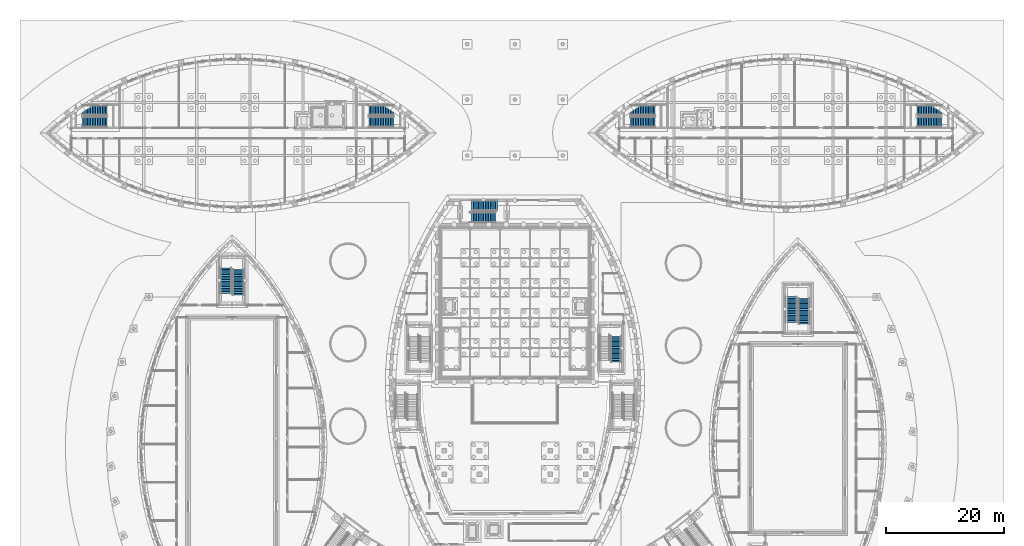
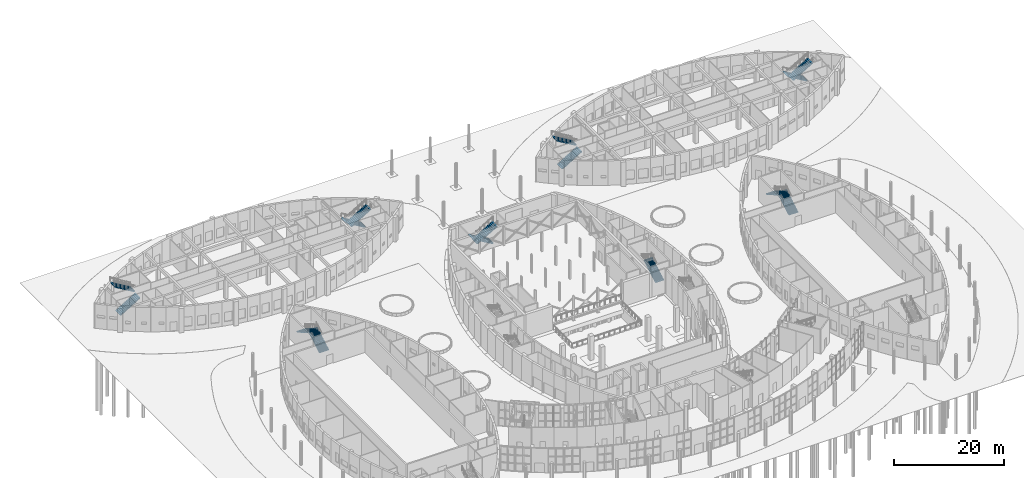
# One storey, part 70 of 82: 15 stair flights, 8 elements without a shape of their own.
"""IFC4 building model written with IfcOpenShell, lengths in metres."""

from ifc_helpers import new_model, si_unit, direction, frame, origin, place, context, subcontext, project, spatial, polyline, outline, extrude, material, type_object, element, aggregate, save


model = new_model("IFC4")

# Units and contexts
model_context = context("Model", 3, precision=1e-05, world=origin(), true_north=direction((0.0, 1.0)))
body_context = subcontext(model_context, "Body", "Model", "MODEL_VIEW")
ifc_project = project(units=[si_unit("LENGTHUNIT", "METRE"), si_unit("AREAUNIT", "SQUARE_METRE"), si_unit("VOLUMEUNIT", "CUBIC_METRE"), si_unit("PLANEANGLEUNIT", "RADIAN"), si_unit("MASSUNIT", "GRAM", prefix="KILO")], contexts=[model_context])

# Site, building, storey
site_placement = place(None, origin())
site = spatial("IfcSite", under=ifc_project, at=site_placement, CompositionType="ELEMENT")
building_placement = place(site_placement, origin())
building = spatial("IfcBuilding", under=site, at=building_placement, Name="Tide Square Theatres", CompositionType="ELEMENT")
storey_placement = place(building_placement, origin())
storey = spatial("IfcBuildingStorey", under=building, at=storey_placement, Name="L00", CompositionType="ELEMENT", Elevation=0.0)

# Stair, stair flights
ifc_material_1 = material(Name="Concrete C35", Category="concrete")
stair_type_1 = type_object("IfcStairType", Name="Stair half turn 1300 wide", PredefinedType="HALF_TURN_STAIR", material=ifc_material_1)
stair_1_placement = place(storey_placement, origin())
stair_1 = element("IfcStair", 1, at=stair_1_placement, inside=storey, type_object=stair_type_1, Name="L00 Scenery Workshops stair 1", PredefinedType="HALF_TURN_STAIR")
ifc_material_2 = material(Name="Concrete C35", Category="concrete")
stair_flight_type_1 = type_object("IfcStairFlightType", Name="Flight 1300 wide 16 risers", PredefinedType="STRAIGHT", material=ifc_material_2)
stair_flight_1_placement = place(storey_placement, frame((10.60009765625, 99.699951171875, 0.0), z_axis=(0.0, 0.0, 1.0), x_axis=(1.0, 0.0, 0.0)))
stair_flight_1 = element("IfcStairFlight", 2, at=stair_flight_1_placement, type_object=stair_flight_type_1, Name="WST-1 flight 1", NumberOfRisers=16, NumberOfTreads=15, PredefinedType="STRAIGHT", RiserHeight=0.16875, TreadLength=0.28, context=body_context, shape_type="SweptSolid", body=[
    extrude(outline(polyline([(0.0, 0.0), (0.0, 0.168701171875), (0.280029296875, 0.168701171875), (0.280029296875, 0.33740234375), (0.56005859375, 0.33740234375), (0.56005859375, 0.50634765625), (0.840087890625, 0.50634765625), (0.840087890625, 0.675048828125), (1.1201171875, 0.675048828125), (1.1201171875, 0.84375), (1.39990234375, 0.84375), (1.39990234375, 1.012451171875), (1.679931640625, 1.012451171875), (1.679931640625, 1.18115234375), (1.9599609375, 1.18115234375), (1.9599609375, 1.35009765625), (2.239990234375, 1.35009765625), (2.239990234375, 1.518798828125), (2.52001953125, 1.518798828125), (2.52001953125, 1.6875), (2.800048828125, 1.6875), (2.800048828125, 1.856201171875), (3.080078125, 1.856201171875), (3.080078125, 2.02490234375), (3.360107421875, 2.02490234375), (3.360107421875, 2.19384765625), (3.639892578125, 2.19384765625), (3.639892578125, 2.362548828125), (3.919921875, 2.362548828125), (3.919921875, 2.53125), (4.199951171875, 2.53125), (4.199951171875, 2.699951171875), (4.199951171875, 2.356201171875), (0.29052734375, 0.0), (0.0, 0.0)])), frame((0.0, 0.89990234375, 0.0), z_axis=(0.0, -1.0, 0.0), x_axis=(1.0, 0.0, 0.0)), (0.0, 0.0, 1.0), 1.800048828125),
])
stair_flight_2_placement = place(storey_placement, frame((14.800048828125, 101.64990234375, 2.699951171875), z_axis=(0.0, 0.0, 1.0), x_axis=(-1.0, 0.0, 0.0)))
stair_flight_2 = element("IfcStairFlight", 3, at=stair_flight_2_placement, type_object=stair_flight_type_1, Name="WST-1 flight 2", NumberOfRisers=16, NumberOfTreads=15, PredefinedType="STRAIGHT", RiserHeight=0.16875, TreadLength=0.28, context=body_context, shape_type="SweptSolid", body=[
    extrude(outline(polyline([(0.0, 0.0), (0.0, 0.168701171875), (0.280029296875, 0.168701171875), (0.280029296875, 0.33740234375), (0.56005859375, 0.33740234375), (0.56005859375, 0.50634765625), (0.840087890625, 0.50634765625), (0.840087890625, 0.675048828125), (1.1201171875, 0.675048828125), (1.1201171875, 0.84375), (1.39990234375, 0.84375), (1.39990234375, 1.012451171875), (1.679931640625, 1.012451171875), (1.679931640625, 1.18115234375), (1.9599609375, 1.18115234375), (1.9599609375, 1.35009765625), (2.239990234375, 1.35009765625), (2.239990234375, 1.518798828125), (2.52001953125, 1.518798828125), (2.52001953125, 1.6875), (2.800048828125, 1.6875), (2.800048828125, 1.856201171875), (3.080078125, 1.856201171875), (3.080078125, 2.02490234375), (3.360107421875, 2.02490234375), (3.360107421875, 2.19384765625), (3.639892578125, 2.19384765625), (3.639892578125, 2.362548828125), (3.919921875, 2.362548828125), (3.919921875, 2.53125), (4.199951171875, 2.53125), (4.199951171875, 2.699951171875), (4.199951171875, 2.356201171875), (0.29052734375, 0.0), (0.0, 0.0)])), frame((0.0, 0.89990234375, 0.0), z_axis=(0.0, -1.0, 0.0), x_axis=(1.0, 0.0, 0.0)), (0.0, 0.0, 1.0), 1.800048828125),
])
aggregate(stair_1, [stair_flight_1, stair_flight_2])

stair_2_placement = place(storey_placement, origin())
stair_2 = element("IfcStair", 4, at=stair_2_placement, inside=storey, type_object=stair_type_1, Name="L00 Scenery Workshops stair 2", PredefinedType="HALF_TURN_STAIR")
stair_flight_3_placement = place(storey_placement, frame((63.39990234375, 101.64990234375, 0.0), z_axis=(0.0, 0.0, 1.0), x_axis=(-1.0, 0.0, 0.0)))
stair_flight_3 = element("IfcStairFlight", 5, at=stair_flight_3_placement, type_object=stair_flight_type_1, Name="WST-2 flight 1", NumberOfRisers=16, NumberOfTreads=15, PredefinedType="STRAIGHT", RiserHeight=0.16875, TreadLength=0.28, context=body_context, shape_type="SweptSolid", body=[
    extrude(outline(polyline([(0.0, 0.0), (0.0, 0.168701171875), (0.280029296875, 0.168701171875), (0.280029296875, 0.33740234375), (0.56005859375, 0.33740234375), (0.56005859375, 0.50634765625), (0.840087890625, 0.50634765625), (0.840087890625, 0.675048828125), (1.1201171875, 0.675048828125), (1.1201171875, 0.84375), (1.39990234375, 0.84375), (1.39990234375, 1.012451171875), (1.679931640625, 1.012451171875), (1.679931640625, 1.18115234375), (1.9599609375, 1.18115234375), (1.9599609375, 1.35009765625), (2.239990234375, 1.35009765625), (2.239990234375, 1.518798828125), (2.52001953125, 1.518798828125), (2.52001953125, 1.6875), (2.800048828125, 1.6875), (2.800048828125, 1.856201171875), (3.080078125, 1.856201171875), (3.080078125, 2.02490234375), (3.360107421875, 2.02490234375), (3.360107421875, 2.19384765625), (3.639892578125, 2.19384765625), (3.639892578125, 2.362548828125), (3.919921875, 2.362548828125), (3.919921875, 2.53125), (4.199951171875, 2.53125), (4.199951171875, 2.699951171875), (4.199951171875, 2.356201171875), (0.29052734375, 0.0), (0.0, 0.0)])), frame((0.0, 0.89990234375, 0.0), z_axis=(0.0, -1.0, 0.0), x_axis=(1.0, 0.0, 0.0)), (0.0, 0.0, 1.0), 1.800048828125),
])
stair_flight_4_placement = place(storey_placement, frame((59.199951171875, 99.699951171875, 2.699951171875), z_axis=(0.0, 0.0, 1.0), x_axis=(1.0, 0.0, 0.0)))
stair_flight_4 = element("IfcStairFlight", 6, at=stair_flight_4_placement, type_object=stair_flight_type_1, Name="WST-2 flight 2", NumberOfRisers=16, NumberOfTreads=15, PredefinedType="STRAIGHT", RiserHeight=0.16875, TreadLength=0.28, context=body_context, shape_type="SweptSolid", body=[
    extrude(outline(polyline([(0.0, 0.0), (0.0, 0.168701171875), (0.280029296875, 0.168701171875), (0.280029296875, 0.33740234375), (0.56005859375, 0.33740234375), (0.56005859375, 0.50634765625), (0.840087890625, 0.50634765625), (0.840087890625, 0.675048828125), (1.1201171875, 0.675048828125), (1.1201171875, 0.84375), (1.39990234375, 0.84375), (1.39990234375, 1.012451171875), (1.679931640625, 1.012451171875), (1.679931640625, 1.18115234375), (1.9599609375, 1.18115234375), (1.9599609375, 1.35009765625), (2.239990234375, 1.35009765625), (2.239990234375, 1.518798828125), (2.52001953125, 1.518798828125), (2.52001953125, 1.6875), (2.800048828125, 1.6875), (2.800048828125, 1.856201171875), (3.080078125, 1.856201171875), (3.080078125, 2.02490234375), (3.360107421875, 2.02490234375), (3.360107421875, 2.19384765625), (3.639892578125, 2.19384765625), (3.639892578125, 2.362548828125), (3.919921875, 2.362548828125), (3.919921875, 2.53125), (4.199951171875, 2.53125), (4.199951171875, 2.699951171875), (4.199951171875, 2.356201171875), (0.29052734375, 0.0), (0.0, 0.0)])), frame((0.0, 0.89990234375, 0.0), z_axis=(0.0, -1.0, 0.0), x_axis=(1.0, 0.0, 0.0)), (0.0, 0.0, 1.0), 1.800048828125),
])
aggregate(stair_2, [stair_flight_3, stair_flight_4])

stair_3_placement = place(storey_placement, origin())
stair_3 = element("IfcStair", 7, at=stair_3_placement, inside=storey, type_object=stair_type_1, Name="L00 Rehearsal Block stair 1", PredefinedType="HALF_TURN_STAIR")
stair_flight_5_placement = place(storey_placement, frame((103.60009765625, 99.699951171875, 0.0), z_axis=(0.0, 0.0, 1.0), x_axis=(1.0, 0.0, 0.0)))
stair_flight_5 = element("IfcStairFlight", 8, at=stair_flight_5_placement, type_object=stair_flight_type_1, Name="RST-1 flight 1", NumberOfRisers=16, NumberOfTreads=15, PredefinedType="STRAIGHT", RiserHeight=0.16875, TreadLength=0.28, context=body_context, shape_type="SweptSolid", body=[
    extrude(outline(polyline([(0.0, 0.0), (0.0, 0.168701171875), (0.280029296875, 0.168701171875), (0.280029296875, 0.33740234375), (0.56005859375, 0.33740234375), (0.56005859375, 0.50634765625), (0.840087890625, 0.50634765625), (0.840087890625, 0.675048828125), (1.1201171875, 0.675048828125), (1.1201171875, 0.84375), (1.39990234375, 0.84375), (1.39990234375, 1.012451171875), (1.679931640625, 1.012451171875), (1.679931640625, 1.18115234375), (1.9599609375, 1.18115234375), (1.9599609375, 1.35009765625), (2.239990234375, 1.35009765625), (2.239990234375, 1.518798828125), (2.52001953125, 1.518798828125), (2.52001953125, 1.6875), (2.800048828125, 1.6875), (2.800048828125, 1.856201171875), (3.080078125, 1.856201171875), (3.080078125, 2.02490234375), (3.360107421875, 2.02490234375), (3.360107421875, 2.19384765625), (3.639892578125, 2.19384765625), (3.639892578125, 2.362548828125), (3.919921875, 2.362548828125), (3.919921875, 2.53125), (4.199951171875, 2.53125), (4.199951171875, 2.699951171875), (4.199951171875, 2.356201171875), (0.29052734375, 0.0), (0.0, 0.0)])), frame((0.0, 0.89990234375, 0.0), z_axis=(0.0, -1.0, 0.0), x_axis=(1.0, 0.0, 0.0)), (0.0, 0.0, 1.0), 1.800048828125),
])
stair_flight_6_placement = place(storey_placement, frame((107.800048828125, 101.64990234375, 2.699951171875), z_axis=(0.0, 0.0, 1.0), x_axis=(-1.0, 0.0, 0.0)))
stair_flight_6 = element("IfcStairFlight", 9, at=stair_flight_6_placement, type_object=stair_flight_type_1, Name="RST-1 flight 2", NumberOfRisers=16, NumberOfTreads=15, PredefinedType="STRAIGHT", RiserHeight=0.16875, TreadLength=0.28, context=body_context, shape_type="SweptSolid", body=[
    extrude(outline(polyline([(0.0, 0.0), (0.0, 0.168701171875), (0.280029296875, 0.168701171875), (0.280029296875, 0.33740234375), (0.56005859375, 0.33740234375), (0.56005859375, 0.50634765625), (0.840087890625, 0.50634765625), (0.840087890625, 0.675048828125), (1.1201171875, 0.675048828125), (1.1201171875, 0.84375), (1.39990234375, 0.84375), (1.39990234375, 1.012451171875), (1.679931640625, 1.012451171875), (1.679931640625, 1.18115234375), (1.9599609375, 1.18115234375), (1.9599609375, 1.35009765625), (2.239990234375, 1.35009765625), (2.239990234375, 1.518798828125), (2.52001953125, 1.518798828125), (2.52001953125, 1.6875), (2.800048828125, 1.6875), (2.800048828125, 1.856201171875), (3.080078125, 1.856201171875), (3.080078125, 2.02490234375), (3.360107421875, 2.02490234375), (3.360107421875, 2.19384765625), (3.639892578125, 2.19384765625), (3.639892578125, 2.362548828125), (3.919921875, 2.362548828125), (3.919921875, 2.53125), (4.199951171875, 2.53125), (4.199951171875, 2.699951171875), (4.199951171875, 2.356201171875), (0.29052734375, 0.0), (0.0, 0.0)])), frame((0.0, 0.89990234375, 0.0), z_axis=(0.0, -1.0, 0.0), x_axis=(1.0, 0.0, 0.0)), (0.0, 0.0, 1.0), 1.800048828125),
])
aggregate(stair_3, [stair_flight_5, stair_flight_6])

stair_4_placement = place(storey_placement, origin())
stair_4 = element("IfcStair", 10, at=stair_4_placement, inside=storey, type_object=stair_type_1, Name="L00 Rehearsal Block stair 2", PredefinedType="HALF_TURN_STAIR")
stair_flight_7_placement = place(storey_placement, frame((156.39990234375, 101.64990234375, 0.0), z_axis=(0.0, 0.0, 1.0), x_axis=(-1.0, 0.0, 0.0)))
stair_flight_7 = element("IfcStairFlight", 11, at=stair_flight_7_placement, type_object=stair_flight_type_1, Name="RST-2 flight 1", NumberOfRisers=16, NumberOfTreads=15, PredefinedType="STRAIGHT", RiserHeight=0.16875, TreadLength=0.28, context=body_context, shape_type="SweptSolid", body=[
    extrude(outline(polyline([(0.0, 0.0), (0.0, 0.168701171875), (0.280029296875, 0.168701171875), (0.280029296875, 0.33740234375), (0.56005859375, 0.33740234375), (0.56005859375, 0.50634765625), (0.840087890625, 0.50634765625), (0.840087890625, 0.675048828125), (1.1201171875, 0.675048828125), (1.1201171875, 0.84375), (1.39990234375, 0.84375), (1.39990234375, 1.012451171875), (1.679931640625, 1.012451171875), (1.679931640625, 1.18115234375), (1.9599609375, 1.18115234375), (1.9599609375, 1.35009765625), (2.239990234375, 1.35009765625), (2.239990234375, 1.518798828125), (2.52001953125, 1.518798828125), (2.52001953125, 1.6875), (2.800048828125, 1.6875), (2.800048828125, 1.856201171875), (3.080078125, 1.856201171875), (3.080078125, 2.02490234375), (3.360107421875, 2.02490234375), (3.360107421875, 2.19384765625), (3.639892578125, 2.19384765625), (3.639892578125, 2.362548828125), (3.919921875, 2.362548828125), (3.919921875, 2.53125), (4.199951171875, 2.53125), (4.199951171875, 2.699951171875), (4.199951171875, 2.356201171875), (0.29052734375, 0.0), (0.0, 0.0)])), frame((0.0, 0.89990234375, 0.0), z_axis=(0.0, -1.0, 0.0), x_axis=(1.0, 0.0, 0.0)), (0.0, 0.0, 1.0), 1.800048828125),
])
stair_flight_8_placement = place(storey_placement, frame((152.199951171875, 99.699951171875, 2.699951171875), z_axis=(0.0, 0.0, 1.0), x_axis=(1.0, 0.0, 0.0)))
stair_flight_8 = element("IfcStairFlight", 12, at=stair_flight_8_placement, type_object=stair_flight_type_1, Name="RST-2 flight 2", NumberOfRisers=16, NumberOfTreads=15, PredefinedType="STRAIGHT", RiserHeight=0.16875, TreadLength=0.28, context=body_context, shape_type="SweptSolid", body=[
    extrude(outline(polyline([(0.0, 0.0), (0.0, 0.168701171875), (0.280029296875, 0.168701171875), (0.280029296875, 0.33740234375), (0.56005859375, 0.33740234375), (0.56005859375, 0.50634765625), (0.840087890625, 0.50634765625), (0.840087890625, 0.675048828125), (1.1201171875, 0.675048828125), (1.1201171875, 0.84375), (1.39990234375, 0.84375), (1.39990234375, 1.012451171875), (1.679931640625, 1.012451171875), (1.679931640625, 1.18115234375), (1.9599609375, 1.18115234375), (1.9599609375, 1.35009765625), (2.239990234375, 1.35009765625), (2.239990234375, 1.518798828125), (2.52001953125, 1.518798828125), (2.52001953125, 1.6875), (2.800048828125, 1.6875), (2.800048828125, 1.856201171875), (3.080078125, 1.856201171875), (3.080078125, 2.02490234375), (3.360107421875, 2.02490234375), (3.360107421875, 2.19384765625), (3.639892578125, 2.19384765625), (3.639892578125, 2.362548828125), (3.919921875, 2.362548828125), (3.919921875, 2.53125), (4.199951171875, 2.53125), (4.199951171875, 2.699951171875), (4.199951171875, 2.356201171875), (0.29052734375, 0.0), (0.0, 0.0)])), frame((0.0, 0.89990234375, 0.0), z_axis=(0.0, -1.0, 0.0), x_axis=(1.0, 0.0, 0.0)), (0.0, 0.0, 1.0), 1.800048828125),
])
aggregate(stair_4, [stair_flight_7, stair_flight_8])

# Stair, stair flight
ifc_material_3 = material(Name="Concrete C35", Category="concrete")
stair_type_2 = type_object("IfcStairType", Name="Stair half turn 1800 wide, 32 risers, rise 5400", PredefinedType="HALF_TURN_STAIR", material=ifc_material_3)
stair_5_placement = place(storey_placement, origin())
stair_5 = element("IfcStair", 13, at=stair_5_placement, inside=storey, type_object=stair_type_2, Name="Main Theatre East Stair", PredefinedType="HALF_TURN_STAIR")
ifc_material_4 = material(Name="Concrete C35", Category="concrete")
stair_flight_type_2 = type_object("IfcStairFlightType", Name="Flight 1800 wide 16 risers rise 5400", PredefinedType="STRAIGHT", material=ifc_material_4)
stair_flight_9_placement = place(storey_placement, frame((101.199951171875, 58.949951171875, 0.0), z_axis=(0.0, 0.0, 1.0), x_axis=(0.0, 1.0, 0.0)))
stair_flight_9 = element("IfcStairFlight", 14, at=stair_flight_9_placement, type_object=stair_flight_type_2, Name="ST-1800-5400 flight 1", NumberOfRisers=16, NumberOfTreads=15, PredefinedType="STRAIGHT", RiserHeight=0.16875, TreadLength=0.29, context=body_context, shape_type="SweptSolid", body=[
    extrude(outline(polyline([(0.0, 0.0), (0.0, 0.168701171875), (0.2900390625, 0.168701171875), (0.2900390625, 0.33740234375), (0.580078125, 0.33740234375), (0.580078125, 0.50634765625), (0.8701171875, 0.50634765625), (0.8701171875, 0.675048828125), (1.159912109375, 0.675048828125), (1.159912109375, 0.84375), (1.449951171875, 0.84375), (1.449951171875, 1.012451171875), (1.739990234375, 1.012451171875), (1.739990234375, 1.18115234375), (2.030029296875, 1.18115234375), (2.030029296875, 1.35009765625), (2.320068359375, 1.35009765625), (2.320068359375, 1.518798828125), (2.610107421875, 1.518798828125), (2.610107421875, 1.6875), (2.89990234375, 1.6875), (2.89990234375, 1.856201171875), (3.18994140625, 1.856201171875), (3.18994140625, 2.02490234375), (3.47998046875, 2.02490234375), (3.47998046875, 2.19384765625), (3.77001953125, 2.19384765625), (3.77001953125, 2.362548828125), (4.06005859375, 2.362548828125), (4.06005859375, 2.53125), (4.35009765625, 2.53125), (4.35009765625, 2.699951171875), (4.35009765625, 2.35791015625), (0.298095703125, 0.0), (0.0, 0.0)])), frame((0.0, 0.89990234375, 0.0), z_axis=(0.0, -1.0, 0.0), x_axis=(1.0, 0.0, 0.0)), (0.0, 0.0, 1.0), 1.800048828125),
])
aggregate(stair_5, [stair_flight_9])

# Stair, stair flights
stair_6_placement = place(storey_placement, origin())
stair_6 = element("IfcStair", 15, at=stair_6_placement, inside=storey, type_object=stair_type_2, Name="Main Theatre North Stair", PredefinedType="HALF_TURN_STAIR")
stair_flight_10_placement = place(storey_placement, frame((81.0, 85.5, 0.0), z_axis=(0.0, 0.0, 1.0), x_axis=(-1.0, 0.0, 0.0)))
stair_flight_10 = element("IfcStairFlight", 16, at=stair_flight_10_placement, type_object=stair_flight_type_2, Name="ST-1800-5400 flight 1", NumberOfRisers=16, NumberOfTreads=15, PredefinedType="STRAIGHT", RiserHeight=0.16875, TreadLength=0.29, context=body_context, shape_type="SweptSolid", body=[
    extrude(outline(polyline([(0.0, 0.0), (0.0, 0.168701171875), (0.2900390625, 0.168701171875), (0.2900390625, 0.33740234375), (0.580078125, 0.33740234375), (0.580078125, 0.50634765625), (0.8701171875, 0.50634765625), (0.8701171875, 0.675048828125), (1.159912109375, 0.675048828125), (1.159912109375, 0.84375), (1.449951171875, 0.84375), (1.449951171875, 1.012451171875), (1.739990234375, 1.012451171875), (1.739990234375, 1.18115234375), (2.030029296875, 1.18115234375), (2.030029296875, 1.35009765625), (2.320068359375, 1.35009765625), (2.320068359375, 1.518798828125), (2.610107421875, 1.518798828125), (2.610107421875, 1.6875), (2.89990234375, 1.6875), (2.89990234375, 1.856201171875), (3.18994140625, 1.856201171875), (3.18994140625, 2.02490234375), (3.47998046875, 2.02490234375), (3.47998046875, 2.19384765625), (3.77001953125, 2.19384765625), (3.77001953125, 2.362548828125), (4.06005859375, 2.362548828125), (4.06005859375, 2.53125), (4.35009765625, 2.53125), (4.35009765625, 2.699951171875), (4.35009765625, 2.35791015625), (0.298095703125, 0.0), (0.0, 0.0)])), frame((0.0, 0.89990234375, 0.0), z_axis=(0.0, -1.0, 0.0), x_axis=(1.0, 0.0, 0.0)), (0.0, 0.0, 1.0), 1.800048828125),
])
stair_flight_11_placement = place(storey_placement, frame((76.351806640625, 83.5, 2.699951171875), z_axis=(0.0, 0.0, 1.0), x_axis=(1.0, 0.0, 0.0)))
stair_flight_11 = element("IfcStairFlight", 17, at=stair_flight_11_placement, type_object=stair_flight_type_2, Name="ST-1800-5400 flight 2", NumberOfRisers=16, NumberOfTreads=15, PredefinedType="STRAIGHT", RiserHeight=0.16875, TreadLength=0.29, context=body_context, shape_type="SweptSolid", body=[
    extrude(outline(polyline([(0.0, 0.0), (0.0, 0.168701171875), (0.2900390625, 0.168701171875), (0.2900390625, 0.33740234375), (0.580078125, 0.33740234375), (0.580078125, 0.50634765625), (0.8701171875, 0.50634765625), (0.8701171875, 0.675048828125), (1.159912109375, 0.675048828125), (1.159912109375, 0.84375), (1.449951171875, 0.84375), (1.449951171875, 1.012451171875), (1.739990234375, 1.012451171875), (1.739990234375, 1.18115234375), (2.030029296875, 1.18115234375), (2.030029296875, 1.35009765625), (2.320068359375, 1.35009765625), (2.320068359375, 1.518798828125), (2.610107421875, 1.518798828125), (2.610107421875, 1.6875), (2.89990234375, 1.6875), (2.89990234375, 1.856201171875), (3.18994140625, 1.856201171875), (3.18994140625, 2.02490234375), (3.47998046875, 2.02490234375), (3.47998046875, 2.19384765625), (3.77001953125, 2.19384765625), (3.77001953125, 2.362548828125), (4.06005859375, 2.362548828125), (4.06005859375, 2.53125), (4.35009765625, 2.53125), (4.35009765625, 2.699951171875), (4.35009765625, 2.35791015625), (0.298095703125, 0.0), (0.0, 0.0)])), frame((0.0, 0.89990234375, 0.0), z_axis=(0.0, -1.0, 0.0), x_axis=(1.0, 0.0, 0.0)), (0.0, 0.0, 1.0), 1.800048828125),
])
aggregate(stair_6, [stair_flight_10, stair_flight_11])

ifc_material_5 = material(Name="Concrete C35", Category="concrete")
stair_type_3 = type_object("IfcStairType", Name="Stair half turn 2000 wide, 32 risers, rise 5400", PredefinedType="HALF_TURN_STAIR", material=ifc_material_5)
stair_7_placement = place(storey_placement, origin())
stair_7 = element("IfcStair", 18, at=stair_7_placement, inside=storey, type_object=stair_type_3, Name="Studio Theatre Stair S1", PredefinedType="HALF_TURN_STAIR")
ifc_material_6 = material(Name="Concrete C35", Category="concrete")
stair_flight_type_3 = type_object("IfcStairFlightType", Name="Flight 2000 wide 16 risers rise 5400", PredefinedType="STRAIGHT", material=ifc_material_6)
stair_flight_12_placement = place(storey_placement, frame((37.10009765625, 70.300048828125, 0.0), z_axis=(0.0, 0.0, 1.0), x_axis=(0.0, 1.0, 0.0)))
stair_flight_12 = element("IfcStairFlight", 19, at=stair_flight_12_placement, type_object=stair_flight_type_3, Name="ST-2000-5400 flight 1", NumberOfRisers=16, NumberOfTreads=15, PredefinedType="STRAIGHT", RiserHeight=0.16875, TreadLength=0.29, context=body_context, shape_type="SweptSolid", body=[
    extrude(outline(polyline([(0.0, 0.0), (0.0, 0.168701171875), (0.2900390625, 0.168701171875), (0.2900390625, 0.33740234375), (0.580078125, 0.33740234375), (0.580078125, 0.50634765625), (0.8701171875, 0.50634765625), (0.8701171875, 0.675048828125), (1.159912109375, 0.675048828125), (1.159912109375, 0.84375), (1.449951171875, 0.84375), (1.449951171875, 1.012451171875), (1.739990234375, 1.012451171875), (1.739990234375, 1.18115234375), (2.030029296875, 1.18115234375), (2.030029296875, 1.35009765625), (2.320068359375, 1.35009765625), (2.320068359375, 1.518798828125), (2.610107421875, 1.518798828125), (2.610107421875, 1.6875), (2.89990234375, 1.6875), (2.89990234375, 1.856201171875), (3.18994140625, 1.856201171875), (3.18994140625, 2.02490234375), (3.47998046875, 2.02490234375), (3.47998046875, 2.19384765625), (3.77001953125, 2.19384765625), (3.77001953125, 2.362548828125), (4.06005859375, 2.362548828125), (4.06005859375, 2.53125), (4.35009765625, 2.53125), (4.35009765625, 2.699951171875), (4.35009765625, 2.35791015625), (0.298095703125, 0.0), (0.0, 0.0)])), frame((0.0, 1.0, 0.0), z_axis=(0.0, -1.0, 0.0), x_axis=(1.0, 0.0, 0.0)), (0.0, 0.0, 1.0), 2.0),
])
stair_flight_13_placement = place(storey_placement, frame((34.89990234375, 74.9482421875, 2.699951171875), z_axis=(0.0, 0.0, 1.0), x_axis=(0.0, -1.0, 0.0)))
stair_flight_13 = element("IfcStairFlight", 20, at=stair_flight_13_placement, type_object=stair_flight_type_3, Name="ST-2000-5400 flight 2", NumberOfRisers=16, NumberOfTreads=15, PredefinedType="STRAIGHT", RiserHeight=0.16875, TreadLength=0.29, context=body_context, shape_type="SweptSolid", body=[
    extrude(outline(polyline([(0.0, 0.0), (0.0, 0.168701171875), (0.2900390625, 0.168701171875), (0.2900390625, 0.33740234375), (0.580078125, 0.33740234375), (0.580078125, 0.50634765625), (0.8701171875, 0.50634765625), (0.8701171875, 0.675048828125), (1.159912109375, 0.675048828125), (1.159912109375, 0.84375), (1.449951171875, 0.84375), (1.449951171875, 1.012451171875), (1.739990234375, 1.012451171875), (1.739990234375, 1.18115234375), (2.030029296875, 1.18115234375), (2.030029296875, 1.35009765625), (2.320068359375, 1.35009765625), (2.320068359375, 1.518798828125), (2.610107421875, 1.518798828125), (2.610107421875, 1.6875), (2.89990234375, 1.6875), (2.89990234375, 1.856201171875), (3.18994140625, 1.856201171875), (3.18994140625, 2.02490234375), (3.47998046875, 2.02490234375), (3.47998046875, 2.19384765625), (3.77001953125, 2.19384765625), (3.77001953125, 2.362548828125), (4.06005859375, 2.362548828125), (4.06005859375, 2.53125), (4.35009765625, 2.53125), (4.35009765625, 2.699951171875), (4.35009765625, 2.35791015625), (0.298095703125, 0.0), (0.0, 0.0)])), frame((0.0, 1.0, 0.0), z_axis=(0.0, -1.0, 0.0), x_axis=(1.0, 0.0, 0.0)), (0.0, 0.0, 1.0), 2.0),
])
aggregate(stair_7, [stair_flight_12, stair_flight_13])

stair_8_placement = place(storey_placement, origin())
stair_8 = element("IfcStair", 21, at=stair_8_placement, inside=storey, type_object=stair_type_3, Name="Black Box Theatre Stair B1", PredefinedType="HALF_TURN_STAIR")
stair_flight_14_placement = place(storey_placement, frame((133.10009765625, 65.39990234375, 0.0), z_axis=(0.0, 0.0, 1.0), x_axis=(0.0, 1.0, 0.0)))
stair_flight_14 = element("IfcStairFlight", 22, at=stair_flight_14_placement, type_object=stair_flight_type_3, Name="ST-2000-5400 flight 1", NumberOfRisers=16, NumberOfTreads=15, PredefinedType="STRAIGHT", RiserHeight=0.16875, TreadLength=0.29, context=body_context, shape_type="SweptSolid", body=[
    extrude(outline(polyline([(0.0, 0.0), (0.0, 0.168701171875), (0.2900390625, 0.168701171875), (0.2900390625, 0.33740234375), (0.580078125, 0.33740234375), (0.580078125, 0.50634765625), (0.8701171875, 0.50634765625), (0.8701171875, 0.675048828125), (1.159912109375, 0.675048828125), (1.159912109375, 0.84375), (1.449951171875, 0.84375), (1.449951171875, 1.012451171875), (1.739990234375, 1.012451171875), (1.739990234375, 1.18115234375), (2.030029296875, 1.18115234375), (2.030029296875, 1.35009765625), (2.320068359375, 1.35009765625), (2.320068359375, 1.518798828125), (2.610107421875, 1.518798828125), (2.610107421875, 1.6875), (2.89990234375, 1.6875), (2.89990234375, 1.856201171875), (3.18994140625, 1.856201171875), (3.18994140625, 2.02490234375), (3.47998046875, 2.02490234375), (3.47998046875, 2.19384765625), (3.77001953125, 2.19384765625), (3.77001953125, 2.362548828125), (4.06005859375, 2.362548828125), (4.06005859375, 2.53125), (4.35009765625, 2.53125), (4.35009765625, 2.699951171875), (4.35009765625, 2.35791015625), (0.298095703125, 0.0), (0.0, 0.0)])), frame((0.0, 1.0, 0.0), z_axis=(0.0, -1.0, 0.0), x_axis=(1.0, 0.0, 0.0)), (0.0, 0.0, 1.0), 2.0),
])
stair_flight_15_placement = place(storey_placement, frame((130.89990234375, 70.048095703125, 2.699951171875), z_axis=(0.0, 0.0, 1.0), x_axis=(0.0, -1.0, 0.0)))
stair_flight_15 = element("IfcStairFlight", 23, at=stair_flight_15_placement, type_object=stair_flight_type_3, Name="ST-2000-5400 flight 2", NumberOfRisers=16, NumberOfTreads=15, PredefinedType="STRAIGHT", RiserHeight=0.16875, TreadLength=0.29, context=body_context, shape_type="SweptSolid", body=[
    extrude(outline(polyline([(0.0, 0.0), (0.0, 0.168701171875), (0.2900390625, 0.168701171875), (0.2900390625, 0.33740234375), (0.580078125, 0.33740234375), (0.580078125, 0.50634765625), (0.8701171875, 0.50634765625), (0.8701171875, 0.675048828125), (1.159912109375, 0.675048828125), (1.159912109375, 0.84375), (1.449951171875, 0.84375), (1.449951171875, 1.012451171875), (1.739990234375, 1.012451171875), (1.739990234375, 1.18115234375), (2.030029296875, 1.18115234375), (2.030029296875, 1.35009765625), (2.320068359375, 1.35009765625), (2.320068359375, 1.518798828125), (2.610107421875, 1.518798828125), (2.610107421875, 1.6875), (2.89990234375, 1.6875), (2.89990234375, 1.856201171875), (3.18994140625, 1.856201171875), (3.18994140625, 2.02490234375), (3.47998046875, 2.02490234375), (3.47998046875, 2.19384765625), (3.77001953125, 2.19384765625), (3.77001953125, 2.362548828125), (4.06005859375, 2.362548828125), (4.06005859375, 2.53125), (4.35009765625, 2.53125), (4.35009765625, 2.699951171875), (4.35009765625, 2.35791015625), (0.298095703125, 0.0), (0.0, 0.0)])), frame((0.0, 1.0, 0.0), z_axis=(0.0, -1.0, 0.0), x_axis=(1.0, 0.0, 0.0)), (0.0, 0.0, 1.0), 2.0),
])
aggregate(stair_8, [stair_flight_14, stair_flight_15])

save(model, "model.ifc")
